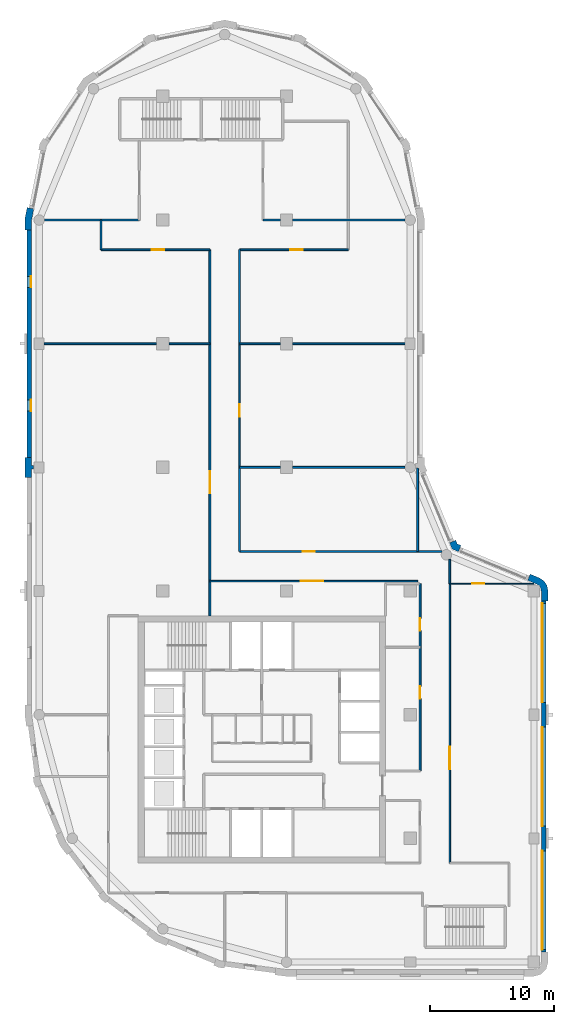
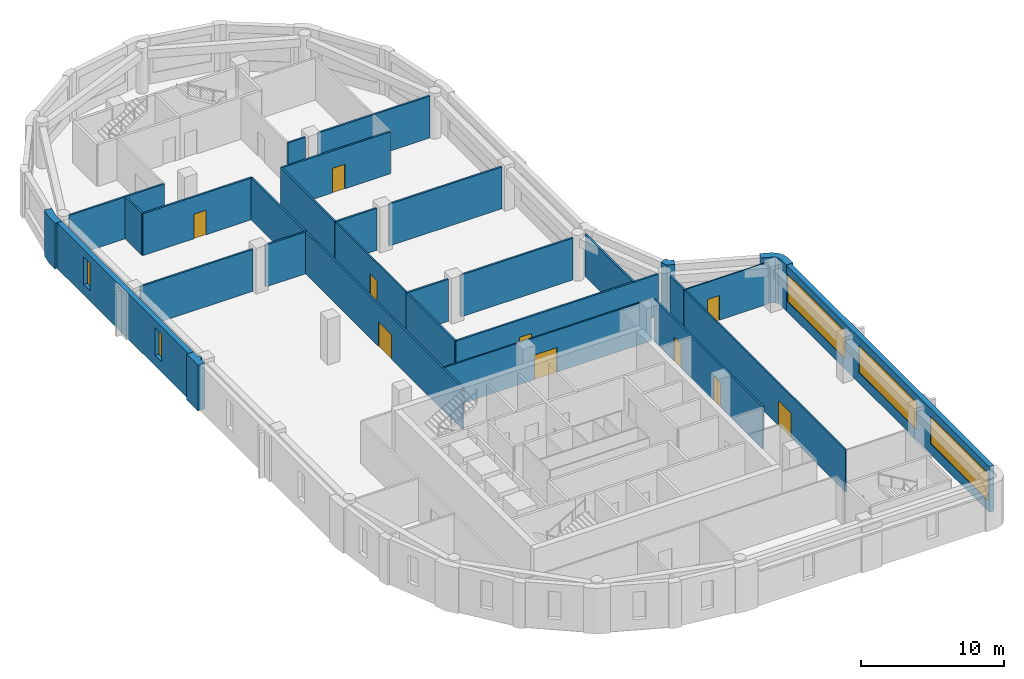
# One storey, part 4 of 8: 29 walls, 10 doors, 5 windows, 15 openings.
"""IFC4 building model written with IfcOpenShell, lengths in metres."""

import ifcopenshell
import ifcopenshell.guid

model = None  # the IFC model being written
_history = None  # IfcOwnerHistory: only IFC2X3 demands one
_inside = {}  # id of a spatial element -> (the spatial element, [elements in it])
_under = {}  # id of a project, library or spatial element -> (it, [spatial elements below it])
_declared = {}  # id of a project -> (the project, [libraries it declares])
_typed = {}  # id of a type object -> (the type object, [elements of that type])
_made_of = {}  # id of a material, layer set ... -> (it, [elements and type objects made of it])


def new_model(schema):
    """Start an empty IFC model of exactly this schema.

    Asked for "IFC4X3", IfcOpenShell would pick the latest addendum, in which some entities
    have other attributes; the version numbers below select the first issue.
    IFC2X3 requires an IfcOwnerHistory on every rooted entity: one is made here for all.
    """
    global model, _history
    if schema == "IFC4X3":
        model = ifcopenshell.file(schema_version=(4, 3, 0, 0))
    else:
        model = ifcopenshell.file(schema=schema)
    _inside.clear()
    _under.clear()
    _declared.clear()
    _typed.clear()
    _made_of.clear()
    _history = None
    if model.schema == "IFC2X3":
        org = make("IfcOrganization", Name="unknown")
        user = make(
            "IfcPersonAndOrganization",
            ThePerson=make("IfcPerson", FamilyName="unknown"),
            TheOrganization=org,
        )
        app = make(
            "IfcApplication",
            ApplicationDeveloper=org,
            Version="unknown",
            ApplicationFullName="unknown",
            ApplicationIdentifier="unknown",
        )
        _history = make(
            "IfcOwnerHistory",
            OwningUser=user,
            OwningApplication=app,
            ChangeAction="ADDED",
            CreationDate=0,
        )
    return model


def make(cls, **values):
    """One entity of the class cls with the attributes given. An attribute that is None is left unset."""
    return model.create_entity(
        cls, **{name: value for name, value in values.items() if value is not None}
    )


def rooted(cls, **values):
    """An entity with a GlobalId (a new one), such as an element, a storey or a relation."""
    return make(cls, GlobalId=ifcopenshell.guid.new(), OwnerHistory=_history, **values)


def si_unit(unit_type, name, prefix=None):
    """IfcSIUnit, for example si_unit("LENGTHUNIT", "METRE", prefix="MILLI")."""
    return make("IfcSIUnit", UnitType=unit_type, Prefix=prefix, Name=name)


def assignment(units):
    """IfcUnitAssignment: the units of a project."""
    return None if units is None else make("IfcUnitAssignment", Units=units)


def point(xyz):
    """IfcCartesianPoint."""
    return None if xyz is None else make("IfcCartesianPoint", Coordinates=xyz)


def direction(xyz):
    """IfcDirection."""
    return None if xyz is None else make("IfcDirection", DirectionRatios=xyz)


def frame(location, z_axis=None, x_axis=None):
    """IfcAxis2Placement3D, a coordinate frame: its origin and axes. An axis left out is left unset."""
    return make(
        "IfcAxis2Placement3D",
        Location=point(location),
        Axis=direction(z_axis),
        RefDirection=direction(x_axis),
    )


def frame_2d(location, x_axis=None):
    """IfcAxis2Placement2D, a coordinate frame in the plane: its origin and x axis."""
    return make(
        "IfcAxis2Placement2D", Location=point(location), RefDirection=direction(x_axis)
    )


def origin():
    """The frame at (0, 0, 0) with its axes left unset."""
    return frame((0.0, 0.0, 0.0))


def place(relative_to, where):
    """IfcLocalPlacement: puts the frame where relative to a parent placement (None: the world)."""
    return make(
        "IfcLocalPlacement", PlacementRelTo=relative_to, RelativePlacement=where
    )


def context(
    kind, dimensions, precision=None, world=None, true_north=None, identifier=None
):
    """IfcGeometricRepresentationContext, for example the 3D "Model" context."""
    return make(
        "IfcGeometricRepresentationContext",
        ContextIdentifier=identifier,
        ContextType=kind,
        CoordinateSpaceDimension=dimensions,
        Precision=precision,
        WorldCoordinateSystem=world,
        TrueNorth=true_north,
    )


def subcontext(parent, identifier, kind, view, scale=None):
    """IfcGeometricRepresentationSubContext, for example "Body" below "Model"."""
    return make(
        "IfcGeometricRepresentationSubContext",
        ContextIdentifier=identifier,
        ContextType=kind,
        ParentContext=parent,
        TargetScale=scale,
        TargetView=view,
    )


def project(units=None, contexts=None):
    """IfcProject with its units and contexts."""
    return rooted(
        "IfcProject",
        Name="project",
        RepresentationContexts=contexts,
        UnitsInContext=assignment(units),
    )


def spatial(cls, under=None, at=None, **own):
    """A site, building, storey or space (cls), placed at a placement, below another one or the project."""
    s = rooted(cls, ObjectPlacement=at, **own)
    if under is not None:
        _under.setdefault(under.id(), (under, []))[1].append(s)
    return s


def polyline(points):
    """IfcPolyline through the points."""
    return make("IfcPolyline", Points=[point(p) for p in points])


def profile(cls, at=None, kind="AREA", **sizes):
    """A parametric profile (cls). Its sizes go by their IFC names, for example OverallWidth=200.0."""
    return make(cls, ProfileType=kind, Position=at, **sizes)


def rectangle(**sizes):
    """IfcRectangleProfileDef."""
    return profile("IfcRectangleProfileDef", **sizes)


def outline(outer, holes=None, kind="AREA"):
    """IfcArbitraryClosedProfileDef: a profile drawn as a closed curve; with holes, ...WithVoids."""
    if holes is None:
        return make("IfcArbitraryClosedProfileDef", ProfileType=kind, OuterCurve=outer)
    return make(
        "IfcArbitraryProfileDefWithVoids",
        ProfileType=kind,
        OuterCurve=outer,
        InnerCurves=holes,
    )


def extrude(swept, where, along, depth):
    """IfcExtrudedAreaSolid: the profile swept, set in the frame where, extruded along a direction by depth."""
    return make(
        "IfcExtrudedAreaSolid",
        SweptArea=swept,
        Position=where,
        ExtrudedDirection=direction(along),
        Depth=depth,
    )


def shape(context_of_items, identifier, shape_type, items):
    """IfcShapeRepresentation: the items that make up one representation, for example the "Body"."""
    return make(
        "IfcShapeRepresentation",
        ContextOfItems=context_of_items,
        RepresentationIdentifier=identifier,
        RepresentationType=shape_type,
        Items=items,
    )


def material(Name=None, Category=None):
    """IfcMaterial."""
    return make("IfcMaterial", Name=Name, Category=Category)


def layer(
    of_material, thickness, ventilated=None, Name=None, Category=None, Priority=None
):
    """IfcMaterialLayer: one layer of a wall or slab, of a material (None: an air gap)."""
    return make(
        "IfcMaterialLayer",
        Material=of_material,
        LayerThickness=thickness,
        IsVentilated=ventilated,
        Name=Name,
        Category=Category,
        Priority=Priority,
    )


def layer_set(layers, Name=None):
    """IfcMaterialLayerSet."""
    return make("IfcMaterialLayerSet", MaterialLayers=layers, LayerSetName=Name)


def made_of(thing, what):
    """Note that an element or type object is made of a material, layer set ...; save() writes the relation."""
    if what is not None:
        _made_of.setdefault(what.id(), (what, []))[1].append(thing)
    return thing


def type_object(cls, material=None, **own):
    """A type object (cls), such as IfcWallType, which elements share."""
    return made_of(rooted(cls, **own), material)


def element(
    cls,
    number,
    at=None,
    inside=None,
    cuts=None,
    type_object=None,
    material=None,
    context=None,
    identifier="Body",
    shape_type=None,
    held_by="IfcProductDefinitionShape",
    body=None,
    shapes=None,
    **own,
):
    """One element of the class cls, such as IfcWall. Its Tag is "e" and its number.

    at: its placement. inside: the storey or other place that contains it. cuts: it is an
    opening in that element (IfcRelVoidsElement). A single representation is given by context,
    identifier, shape_type and body (its items); several are given by shapes. held_by: the class
    of the entity that holds the representations. save() writes the other relations.
    """
    e = rooted(cls, Tag="e%d" % number, ObjectPlacement=at, **own)
    if body is not None:
        shapes = [shape(context, identifier, shape_type, body)]
    if shapes is not None:
        e.Representation = make(held_by, Representations=shapes)
    if inside is not None:
        _inside.setdefault(inside.id(), (inside, []))[1].append(e)
    if cuts is not None:
        rooted(
            "IfcRelVoidsElement", RelatingBuildingElement=cuts, RelatedOpeningElement=e
        )
    if type_object is not None:
        _typed.setdefault(type_object.id(), (type_object, []))[1].append(e)
    return made_of(e, material)


def fill(opening, filler):
    """IfcRelFillsElement: the door or window that sits in an opening."""
    return rooted(
        "IfcRelFillsElement",
        RelatingOpeningElement=opening,
        RelatedBuildingElement=filler,
    )


def aggregate(whole, parts):
    """IfcRelAggregates: a whole, such as a stair, and the parts it consists of."""
    return rooted("IfcRelAggregates", RelatingObject=whole, RelatedObjects=parts)


def save(model, path):
    """Write the relations noted so far, then the file.

    IfcRelAggregates (storeys below a building ...), IfcRelContainedInSpatialStructure (elements
    in a storey), IfcRelDefinesByType, IfcRelAssociatesMaterial and IfcRelDeclares: one each for
    every whole, place, type object, material and project.
    """
    for whole, parts in _under.values():
        aggregate(whole, parts)
    for where, things in _inside.values():
        rooted(
            "IfcRelContainedInSpatialStructure",
            RelatedElements=things,
            RelatingStructure=where,
        )
    for kind, things in _typed.values():
        rooted("IfcRelDefinesByType", RelatedObjects=things, RelatingType=kind)
    for what, things in _made_of.values():
        rooted("IfcRelAssociatesMaterial", RelatedObjects=things, RelatingMaterial=what)
    for by, libraries in _declared.values():
        rooted("IfcRelDeclares", RelatingContext=by, RelatedDefinitions=libraries)
    model.write(path)


model = new_model("IFC4")

# Units and contexts
model_context = context("Model", 3, precision=1e-05, world=origin(), true_north=direction((0.0, 1.0)))
body_context = subcontext(model_context, "Body", "Model", "MODEL_VIEW")
ifc_project = project(units=[si_unit("LENGTHUNIT", "METRE"), si_unit("AREAUNIT", "SQUARE_METRE"), si_unit("VOLUMEUNIT", "CUBIC_METRE"), si_unit("PLANEANGLEUNIT", "RADIAN"), si_unit("MASSUNIT", "GRAM", prefix="KILO")], contexts=[model_context])

# Site, building, storey
site_placement = place(None, origin())
site = spatial("IfcSite", under=ifc_project, at=site_placement, CompositionType="ELEMENT")
building_placement = place(site_placement, origin())
building = spatial("IfcBuilding", under=site, at=building_placement, Name="Qaws Garden Tower", CompositionType="ELEMENT")
storey_placement = place(building_placement, frame((0.0, 0.0, 302.10009765625)))
storey = spatial("IfcBuildingStorey", under=building, at=storey_placement, Name="L73", CompositionType="ELEMENT", Elevation=302.10009765625)

# Wall
ifc_material_1 = material(Name="Clay facing brick masonry", Category="masonry")
ifc_layer_1 = layer(ifc_material_1, 0.550048828125)
ifc_layer_set_1 = layer_set([ifc_layer_1], Name="Clay facing brick masonry")
wall_type_1 = type_object("IfcWallType", Name="Brick corner pier 550 x 2400", PredefinedType="SOLIDWALL", material=ifc_layer_set_1)
placement = place(storey_placement, origin())
element("IfcWall", 1, at=placement, inside=storey, type_object=wall_type_1, Name="E-L73-pier-05", PredefinedType="SOLIDWALL", context=body_context, shape_type="SweptSolid", body=[
    extrude(outline(polyline([(41.0, 29.199951171875), (41.14990234375, 29.199951171875), (41.14990234375, 30.0), (41.0625, 30.440185546875), (40.813232421875, 30.813232421875), (40.440185546875, 31.0625), (39.700927734375, 31.36865234375), (39.6435546875, 31.22998046875), (39.490478515625, 30.860595703125), (40.2294921875, 30.554443359375), (40.42431640625, 30.42431640625), (40.554443359375, 30.2294921875), (40.60009765625, 30.0), (40.60009765625, 29.199951171875), (41.0, 29.199951171875)])), origin(), (0.0, 0.0, 1.0), 3.89990234375),
])

# Wall, openings, windows
ifc_material_2 = material(Name="Clay facing brick masonry", Category="masonry")
ifc_layer_2 = layer(ifc_material_2, 0.39990234375)
ifc_layer_set_2 = layer_set([ifc_layer_2], Name="Clay facing brick masonry")
wall_type_2 = type_object("IfcWallType", Name="Brick infill wall 400", PredefinedType="SOLIDWALL", material=ifc_layer_set_2)
wall_2_placement = place(storey_placement, frame((40.800048828125, 0.800048828125, 0.0), z_axis=(0.0, 0.0, 1.0), x_axis=(0.0, 1.0, 0.0)))
wall_2 = element("IfcWall", 2, at=wall_2_placement, inside=storey, type_object=wall_type_2, Name="E-L73-infill-02", PredefinedType="SOLIDWALL", context=body_context, shape_type="SweptSolid", body=[
    extrude(rectangle(XDim=28.39990234375, YDim=0.39990234375, at=frame_2d((14.199951171875, 0.0))), origin(), (0.0, 0.0, 1.0), 3.89990234375),
])
opening_1_placement = place(wall_2_placement, frame((0.199951171875, 0.0, 0.89990234375)))
opening_1 = element("IfcOpeningElement", 3, at=opening_1_placement, cuts=wall_2, Name="Opening W01", PredefinedType="OPENING", context=body_context, shape_type="SweptSolid", body=[
    extrude(rectangle(XDim=8.0, YDim=2.35009765625, at=frame_2d((4.0, 1.175048828125))), frame((0.0, 0.2099609375, 0.0), z_axis=(0.0, -1.0, 0.0), x_axis=(1.0, 0.0, 0.0)), (0.0, 0.0, 1.0), 0.419921875),
])
opening_2_placement = place(wall_2_placement, frame((10.199951171875, 0.0, 0.89990234375)))
opening_2 = element("IfcOpeningElement", 4, at=opening_2_placement, cuts=wall_2, Name="Opening W01", PredefinedType="OPENING", context=body_context, shape_type="SweptSolid", body=[
    extrude(rectangle(XDim=8.0, YDim=2.35009765625, at=frame_2d((4.0, 1.175048828125))), frame((0.0, 0.2099609375, 0.0), z_axis=(0.0, -1.0, 0.0), x_axis=(1.0, 0.0, 0.0)), (0.0, 0.0, 1.0), 0.419921875),
])
opening_3_placement = place(wall_2_placement, frame((20.199951171875, 0.0, 0.89990234375)))
opening_3 = element("IfcOpeningElement", 5, at=opening_3_placement, cuts=wall_2, Name="Opening W01", PredefinedType="OPENING", context=body_context, shape_type="SweptSolid", body=[
    extrude(rectangle(XDim=8.0, YDim=2.35009765625, at=frame_2d((4.0, 1.175048828125))), frame((0.0, 0.2099609375, 0.0), z_axis=(0.0, -1.0, 0.0), x_axis=(1.0, 0.0, 0.0)), (0.0, 0.0, 1.0), 0.419921875),
])
ifc_material_3 = material(Name="Aluminium framed window, clear glazing", Category="aluminium")
window_type_1 = type_object("IfcWindowType", Name="Ribbon window 8000 x 2350", PartitioningType="DOUBLE_PANEL_VERTICAL", PredefinedType="WINDOW", material=ifc_material_3)
window_1_placement = place(opening_1_placement, origin())
window_1 = element("IfcWindow", 6, at=window_1_placement, inside=storey, type_object=window_type_1, Name="E-L73-window-02-0", OverallHeight=2.35009765625, OverallWidth=8.0, PartitioningType="SINGLE_PANEL", PredefinedType="WINDOW", context=body_context, shape_type="SweptSolid", body=[
    extrude(rectangle(XDim=8.0, YDim=2.35009765625, at=frame_2d((4.0, 1.175048828125))), frame((0.0, 0.159912109375, 0.0), z_axis=(0.0, -1.0, 0.0), x_axis=(1.0, 0.0, 0.0)), (0.0, 0.0, 1.0), 0.06005859375),
])
fill(opening_1, window_1)
window_2_placement = place(opening_2_placement, origin())
window_2 = element("IfcWindow", 7, at=window_2_placement, inside=storey, type_object=window_type_1, Name="E-L73-window-03-0", OverallHeight=2.35009765625, OverallWidth=8.0, PartitioningType="SINGLE_PANEL", PredefinedType="WINDOW", context=body_context, shape_type="SweptSolid", body=[
    extrude(rectangle(XDim=8.0, YDim=2.35009765625, at=frame_2d((4.0, 1.175048828125))), frame((0.0, 0.159912109375, 0.0), z_axis=(0.0, -1.0, 0.0), x_axis=(1.0, 0.0, 0.0)), (0.0, 0.0, 1.0), 0.06005859375),
])
fill(opening_2, window_2)
window_3_placement = place(opening_3_placement, origin())
window_3 = element("IfcWindow", 8, at=window_3_placement, inside=storey, type_object=window_type_1, Name="E-L73-window-04-0", OverallHeight=2.35009765625, OverallWidth=8.0, PartitioningType="SINGLE_PANEL", PredefinedType="WINDOW", context=body_context, shape_type="SweptSolid", body=[
    extrude(rectangle(XDim=8.0, YDim=2.35009765625, at=frame_2d((4.0, 1.175048828125))), frame((0.0, 0.159912109375, 0.0), z_axis=(0.0, -1.0, 0.0), x_axis=(1.0, 0.0, 0.0)), (0.0, 0.0, 1.0), 0.06005859375),
])
fill(opening_3, window_3)

wall_3_placement = place(storey_placement, frame((-0.800048828125, 59.199951171875, 0.0), z_axis=(0.0, 0.0, 1.0), x_axis=(0.0, -1.0, 0.0)))
wall_3 = element("IfcWall", 9, at=wall_3_placement, inside=storey, type_object=wall_type_2, Name="E-L73-infill-17", PredefinedType="SOLIDWALL", context=body_context, shape_type="SweptSolid", body=[
    extrude(rectangle(XDim=18.39990234375, YDim=0.39990234375, at=frame_2d((9.199951171875, 0.0))), origin(), (0.0, 0.0, 1.0), 3.89990234375),
])
opening_4_placement = place(wall_3_placement, frame((3.75, 0.0, 0.89990234375)))
opening_4 = element("IfcOpeningElement", 10, at=opening_4_placement, cuts=wall_3, Name="Opening W09", PredefinedType="OPENING", context=body_context, shape_type="SweptSolid", body=[
    extrude(rectangle(XDim=0.89990234375, YDim=2.35009765625, at=frame_2d((0.449951171875, 1.175048828125))), frame((0.0, 0.2099609375, 0.0), z_axis=(0.0, -1.0, 0.0), x_axis=(1.0, 0.0, 0.0)), (0.0, 0.0, 1.0), 0.419921875),
])
opening_5_placement = place(wall_3_placement, frame((13.75, 0.0, 0.89990234375)))
opening_5 = element("IfcOpeningElement", 11, at=opening_5_placement, cuts=wall_3, Name="Opening W09", PredefinedType="OPENING", context=body_context, shape_type="SweptSolid", body=[
    extrude(rectangle(XDim=0.89990234375, YDim=2.35009765625, at=frame_2d((0.449951171875, 1.175048828125))), frame((0.0, 0.2099609375, 0.0), z_axis=(0.0, -1.0, 0.0), x_axis=(1.0, 0.0, 0.0)), (0.0, 0.0, 1.0), 0.419921875),
])
ifc_material_4 = material(Name="Aluminium framed window, clear glazing", Category="aluminium")
window_type_2 = type_object("IfcWindowType", Name="Slit window 900 x 2350", PartitioningType="SINGLE_PANEL", PredefinedType="WINDOW", material=ifc_material_4)
window_4_placement = place(opening_4_placement, origin())
window_4 = element("IfcWindow", 12, at=window_4_placement, inside=storey, type_object=window_type_2, Name="E-L73-window-17-0", OverallHeight=2.35009765625, OverallWidth=0.89990234375, PartitioningType="SINGLE_PANEL", PredefinedType="WINDOW", context=body_context, shape_type="SweptSolid", body=[
    extrude(rectangle(XDim=0.89990234375, YDim=2.35009765625, at=frame_2d((0.449951171875, 1.175048828125))), frame((0.0, 0.159912109375, 0.0), z_axis=(0.0, -1.0, 0.0), x_axis=(1.0, 0.0, 0.0)), (0.0, 0.0, 1.0), 0.06005859375),
])
fill(opening_4, window_4)
window_5_placement = place(opening_5_placement, origin())
window_5 = element("IfcWindow", 13, at=window_5_placement, inside=storey, type_object=window_type_2, Name="E-L73-window-18-0", OverallHeight=2.35009765625, OverallWidth=0.89990234375, PartitioningType="SINGLE_PANEL", PredefinedType="WINDOW", context=body_context, shape_type="SweptSolid", body=[
    extrude(rectangle(XDim=0.89990234375, YDim=2.35009765625, at=frame_2d((0.449951171875, 1.175048828125))), frame((0.0, 0.159912109375, 0.0), z_axis=(0.0, -1.0, 0.0), x_axis=(1.0, 0.0, 0.0)), (0.0, 0.0, 1.0), 0.06005859375),
])
fill(opening_5, window_5)

# Walls
ifc_material_5 = material(Name="Clay facing brick masonry", Category="masonry")
ifc_layer_3 = layer(ifc_material_5, 0.550048828125)
ifc_layer_set_3 = layer_set([ifc_layer_3], Name="Clay facing brick masonry")
wall_type_3 = type_object("IfcWallType", Name="Brick pier 550 x 1600", PredefinedType="SOLIDWALL", material=ifc_layer_set_3)
element("IfcWall", 14, at=placement, inside=storey, type_object=wall_type_3, Name="E-L73-pier-06", PredefinedType="SOLIDWALL", context=body_context, shape_type="SweptSolid", body=[
    extrude(outline(polyline([(34.05078125, 33.546630859375), (34.108154296875, 33.685302734375), (33.80908203125, 33.80908203125), (33.685302734375, 34.108154296875), (33.546630859375, 34.05078125), (33.177001953125, 33.897705078125), (33.38818359375, 33.38818359375), (33.897705078125, 33.177001953125), (34.05078125, 33.546630859375)])), origin(), (0.0, 0.0, 1.0), 3.89990234375),
])
element("IfcWall", 15, at=placement, inside=storey, type_object=wall_type_3, Name="E-L73-pier-17", PredefinedType="SOLIDWALL", context=body_context, shape_type="SweptSolid", body=[
    extrude(outline(polyline([(-0.82470703125, 60.979736328125), (-0.971923828125, 61.009033203125), (-1.14990234375, 60.11328125), (-1.14990234375, 59.199951171875), (-1.0, 59.199951171875), (-0.60009765625, 59.199951171875), (-0.60009765625, 60.05908203125), (-0.432373046875, 60.901611328125), (-0.82470703125, 60.979736328125)])), origin(), (0.0, 0.0, 1.0), 3.89990234375),
])
element("IfcWall", 16, at=placement, inside=storey, type_object=wall_type_3, Name="E-L73-pier-19", PredefinedType="SOLIDWALL", context=body_context, shape_type="SweptSolid", body=[
    extrude(outline(polyline([(-0.60009765625, 39.199951171875), (-0.60009765625, 39.85009765625), (-0.449951171875, 39.85009765625), (-0.449951171875, 40.14990234375), (-0.60009765625, 40.14990234375), (-0.60009765625, 40.800048828125), (-1.0, 40.800048828125), (-1.14990234375, 40.800048828125), (-1.14990234375, 40.0), (-1.14990234375, 39.199951171875), (-1.0, 39.199951171875), (-0.60009765625, 39.199951171875)])), origin(), (0.0, 0.0, 1.0), 3.89990234375),
])

# Wall, opening, door
ifc_material_6 = material(Name="Glass and aluminium framing", Category="aluminium")
ifc_layer_4 = layer(ifc_material_6, 0.1201171875)
ifc_layer_set_4 = layer_set([ifc_layer_4], Name="Glass and aluminium framing")
wall_type_4 = type_object("IfcWallType", Name="GLAZED PARTITION 120 EI 30", PredefinedType="PARTITIONING", material=ifc_layer_set_4)
wall_7_placement = place(storey_placement, frame((16.199951171875, 40.0, 0.0), z_axis=(0.0, 0.0, 1.0), x_axis=(0.0, 1.0, 0.0)))
wall_7 = element("IfcWall", 17, at=wall_7_placement, inside=storey, type_object=wall_type_4, Name="O-L73-wall-036", PredefinedType="PARTITIONING", context=body_context, shape_type="SweptSolid", body=[
    extrude(rectangle(XDim=10.0, YDim=0.1201171875, at=frame_2d((5.0, 0.0))), origin(), (0.0, 0.0, 1.0), 3.579833984375),
])
opening_6_placement = place(wall_7_placement, frame((4.10009765625, 0.0, 0.0)))
opening_6 = element("IfcOpeningElement", 18, at=opening_6_placement, cuts=wall_7, Name="Opening C604", PredefinedType="OPENING", context=body_context, shape_type="SweptSolid", body=[
    extrude(rectangle(XDim=1.0, YDim=2.10009765625, at=frame_2d((0.5, 1.050048828125))), frame((0.0, 0.070068359375, 0.0), z_axis=(0.0, -1.0, 0.0), x_axis=(1.0, 0.0, 0.0)), (0.0, 0.0, 1.0), 0.14013671875),
])
ifc_material_7 = material(Name="Timber door leaf", Category="wood")
door_type_1 = type_object("IfcDoorType", Name="TENANCY ENTRANCE DOOR 1000 X 2100", OperationType="SINGLE_SWING_LEFT", PredefinedType="DOOR", material=ifc_material_7)
door_1_placement = place(opening_6_placement, frame((1.0, 0.0, 0.0), z_axis=(0.0, 0.0, 1.0), x_axis=(-1.0, 0.0, 0.0)))
door_1 = element("IfcDoor", 19, at=door_1_placement, inside=storey, type_object=door_type_1, Name="O-L73-door-004", OperationType="SINGLE_SWING_RIGHT", OverallHeight=2.10009765625, OverallWidth=1.0, PredefinedType="DOOR", context=body_context, shape_type="SweptSolid", body=[
    extrude(rectangle(XDim=1.0, YDim=2.10009765625, at=frame_2d((0.5, 1.050048828125))), frame((0.0, 0.02490234375, 0.0), z_axis=(0.0, -1.0, 0.0), x_axis=(1.0, 0.0, 0.0)), (0.0, 0.0, 1.0), 0.050048828125),
])
fill(opening_6, door_1)

wall_8_placement = place(storey_placement, frame((33.199951171875, 8.0, 0.0), z_axis=(0.0, 0.0, 1.0), x_axis=(0.0, 1.0, 0.0)))
wall_8 = element("IfcWall", 20, at=wall_8_placement, inside=storey, type_object=wall_type_4, Name="O-L73-wall-039", PredefinedType="PARTITIONING", context=body_context, shape_type="SweptSolid", body=[
    extrude(rectangle(XDim=22.60009765625, YDim=0.1201171875, at=frame_2d((11.300048828125, 0.0))), origin(), (0.0, 0.0, 1.0), 3.579833984375),
])
opening_7_placement = place(wall_8_placement, frame((7.60009765625, 0.0, 0.0)))
opening_7 = element("IfcOpeningElement", 21, at=opening_7_placement, cuts=wall_8, Name="Opening C613", PredefinedType="OPENING", context=body_context, shape_type="SweptSolid", body=[
    extrude(rectangle(XDim=1.800048828125, YDim=2.10009765625, at=frame_2d((0.89990234375, 1.050048828125))), frame((0.0, 0.070068359375, 0.0), z_axis=(0.0, -1.0, 0.0), x_axis=(1.0, 0.0, 0.0)), (0.0, 0.0, 1.0), 0.14013671875),
])
ifc_material_8 = material(Name="Timber door leaf", Category="wood")
door_type_2 = type_object("IfcDoorType", Name="DOUBLE DOOR 1800 X 2100", OperationType="DOUBLE_DOOR_SINGLE_SWING", PredefinedType="DOOR", material=ifc_material_8)
door_2_placement = place(opening_7_placement, frame((1.800048828125, 0.0, 0.0), z_axis=(0.0, 0.0, 1.0), x_axis=(-1.0, 0.0, 0.0)))
door_2 = element("IfcDoor", 22, at=door_2_placement, inside=storey, type_object=door_type_2, Name="O-L73-door-013", OperationType="DOUBLE_DOOR_SINGLE_SWING", OverallHeight=2.10009765625, OverallWidth=1.800048828125, PredefinedType="DOOR", context=body_context, shape_type="SweptSolid", body=[
    extrude(rectangle(XDim=1.800048828125, YDim=2.10009765625, at=frame_2d((0.89990234375, 1.050048828125))), frame((0.0, 0.02490234375, 0.0), z_axis=(0.0, -1.0, 0.0), x_axis=(1.0, 0.0, 0.0)), (0.0, 0.0, 1.0), 0.050048828125),
])
fill(opening_7, door_2)

wall_9_placement = place(storey_placement, frame((13.802001953125, 30.800048828125, 0.0), z_axis=(0.0, 0.0, 1.0), x_axis=(1.0, 0.0, 0.0)))
wall_9 = element("IfcWall", 23, at=wall_9_placement, inside=storey, type_object=wall_type_4, Name="O-L73-wall-046", PredefinedType="PARTITIONING", context=body_context, shape_type="SweptSolid", body=[
    extrude(rectangle(XDim=16.798095703125, YDim=0.1201171875, at=frame_2d((8.39892578125, 0.0))), origin(), (0.0, 0.0, 1.0), 3.579833984375),
])
opening_8_placement = place(wall_9_placement, frame((7.35009765625, 0.0, 0.0)))
opening_8 = element("IfcOpeningElement", 24, at=opening_8_placement, cuts=wall_9, Name="Opening C608", PredefinedType="OPENING", context=body_context, shape_type="SweptSolid", body=[
    extrude(rectangle(XDim=1.800048828125, YDim=2.10009765625, at=frame_2d((0.89990234375, 1.050048828125))), frame((0.0, 0.070068359375, 0.0), z_axis=(0.0, -1.0, 0.0), x_axis=(1.0, 0.0, 0.0)), (0.0, 0.0, 1.0), 0.14013671875),
])
door_3_placement = place(opening_8_placement, frame((1.800048828125, 0.0, 0.0), z_axis=(0.0, 0.0, 1.0), x_axis=(-1.0, 0.0, 0.0)))
door_3 = element("IfcDoor", 25, at=door_3_placement, inside=storey, type_object=door_type_2, Name="O-L73-door-008", OperationType="DOUBLE_DOOR_SINGLE_SWING", OverallHeight=2.10009765625, OverallWidth=1.800048828125, PredefinedType="DOOR", context=body_context, shape_type="SweptSolid", body=[
    extrude(rectangle(XDim=1.800048828125, YDim=2.10009765625, at=frame_2d((0.89990234375, 1.050048828125))), frame((0.0, 0.02490234375, 0.0), z_axis=(0.0, -1.0, 0.0), x_axis=(1.0, 0.0, 0.0)), (0.0, 0.0, 1.0), 0.050048828125),
])
fill(opening_8, door_3)

ifc_material_9 = material(Name="Gypsum board partition")
ifc_layer_5 = layer(ifc_material_9, 0.10009765625)
ifc_layer_set_5 = layer_set([ifc_layer_5], Name="Gypsum board partition")
wall_type_5 = type_object("IfcWallType", Name="PARTITION 100", PredefinedType="PARTITIONING", material=ifc_layer_set_5)
wall_10_placement = place(storey_placement, frame((33.199951171875, 30.60009765625, 0.0), z_axis=(0.0, 0.0, 1.0), x_axis=(1.0, 0.0, 0.0)))
wall_10 = element("IfcWall", 26, at=wall_10_placement, inside=storey, type_object=wall_type_5, Name="O-L73-wall-001", PredefinedType="PARTITIONING", context=body_context, shape_type="SweptSolid", body=[
    extrude(rectangle(XDim=6.798583984375, YDim=0.10009765625, at=frame_2d((3.3994140625, 0.0))), origin(), (0.0, 0.0, 1.0), 3.579833984375),
])
opening_9_placement = place(wall_10_placement, frame((1.824951171875, 0.0, 0.0)))
opening_9 = element("IfcOpeningElement", 27, at=opening_9_placement, cuts=wall_10, Name="Opening C617", PredefinedType="OPENING", context=body_context, shape_type="SweptSolid", body=[
    extrude(rectangle(XDim=0.949951171875, YDim=2.10009765625, at=frame_2d((0.47509765625, 1.050048828125))), frame((0.0, 0.06005859375, 0.0), z_axis=(0.0, -1.0, 0.0), x_axis=(1.0, 0.0, 0.0)), (0.0, 0.0, 1.0), 0.1201171875),
])
ifc_material_10 = material(Name="Timber and glass door leaf", Category="wood")
door_type_3 = type_object("IfcDoorType", Name="GLAZED DOOR 950 X 2100", OperationType="SINGLE_SWING_LEFT", PredefinedType="DOOR", material=ifc_material_10)
door_4_placement = place(opening_9_placement, origin())
door_4 = element("IfcDoor", 28, at=door_4_placement, inside=storey, type_object=door_type_3, Name="O-L73-door-017", OperationType="SINGLE_SWING_LEFT", OverallHeight=2.10009765625, OverallWidth=0.949951171875, PredefinedType="DOOR", context=body_context, shape_type="SweptSolid", body=[
    extrude(rectangle(XDim=0.949951171875, YDim=2.10009765625, at=frame_2d((0.47509765625, 1.050048828125))), frame((0.0, 0.02490234375, 0.0), z_axis=(0.0, -1.0, 0.0), x_axis=(1.0, 0.0, 0.0)), (0.0, 0.0, 1.0), 0.050048828125),
])
fill(opening_9, door_4)

# Wall
ifc_material_11 = material(Name="Gypsum board partition")
ifc_layer_6 = layer(ifc_material_11, 0.14990234375)
ifc_layer_set_6 = layer_set([ifc_layer_6], Name="Gypsum board partition")
wall_type_6 = type_object("IfcWallType", Name="PARTITION 150 EI 60", PredefinedType="PARTITIONING", material=ifc_layer_set_6)
wall_11_placement = place(storey_placement, frame((5.0, 57.60009765625, 0.0), z_axis=(0.0, 0.0, 1.0), x_axis=(0.0, 1.0, 0.0)))
element("IfcWall", 29, at=wall_11_placement, inside=storey, type_object=wall_type_6, Name="O-L73-wall-002", PredefinedType="PARTITIONING", context=body_context, shape_type="SweptSolid", body=[
    extrude(rectangle(XDim=2.39990234375, YDim=0.14990234375, at=frame_2d((1.199951171875, 0.0))), origin(), (0.0, 0.0, 1.0), 3.579833984375),
])

# Wall, opening, door
wall_12_placement = place(storey_placement, frame((13.800048828125, 28.0, 0.0), z_axis=(0.0, 0.0, 1.0), x_axis=(0.0, 1.0, 0.0)))
wall_12 = element("IfcWall", 30, at=wall_12_placement, inside=storey, type_object=wall_type_6, Name="O-L73-wall-005", PredefinedType="PARTITIONING", context=body_context, shape_type="SweptSolid", body=[
    extrude(rectangle(XDim=29.60009765625, YDim=0.14990234375, at=frame_2d((14.800048828125, 0.0))), origin(), (0.0, 0.0, 1.0), 3.579833984375),
])
opening_10_placement = place(wall_12_placement, frame((9.90087890625, 0.0, 0.0)))
opening_10 = element("IfcOpeningElement", 31, at=opening_10_placement, cuts=wall_12, Name="Opening C615", PredefinedType="OPENING", context=body_context, shape_type="SweptSolid", body=[
    extrude(rectangle(XDim=1.800048828125, YDim=2.10009765625, at=frame_2d((0.89990234375, 1.050048828125))), frame((0.0, 0.0849609375, 0.0), z_axis=(0.0, -1.0, 0.0), x_axis=(1.0, 0.0, 0.0)), (0.0, 0.0, 1.0), 0.169921875),
])
door_5_placement = place(opening_10_placement, origin())
door_5 = element("IfcDoor", 32, at=door_5_placement, inside=storey, type_object=door_type_2, Name="O-L73-door-015", OperationType="DOUBLE_DOOR_SINGLE_SWING", OverallHeight=2.10009765625, OverallWidth=1.800048828125, PredefinedType="DOOR", context=body_context, shape_type="SweptSolid", body=[
    extrude(rectangle(XDim=1.800048828125, YDim=2.10009765625, at=frame_2d((0.89990234375, 1.050048828125))), frame((0.0, 0.02490234375, 0.0), z_axis=(0.0, -1.0, 0.0), x_axis=(1.0, 0.0, 0.0)), (0.0, 0.0, 1.0), 0.050048828125),
])
fill(opening_10, door_5)

# Walls
wall_13_placement = place(storey_placement, frame((16.199951171875, 33.199951171875, 0.0), z_axis=(0.0, 0.0, 1.0), x_axis=(0.0, 1.0, 0.0)))
element("IfcWall", 33, at=wall_13_placement, inside=storey, type_object=wall_type_6, Name="O-L73-wall-007", PredefinedType="PARTITIONING", context=body_context, shape_type="SweptSolid", body=[
    extrude(rectangle(XDim=6.800048828125, YDim=0.14990234375, at=frame_2d((3.39990234375, 0.0))), origin(), (0.0, 0.0, 1.0), 3.579833984375),
])
wall_14_placement = place(storey_placement, frame((16.199951171875, 50.0, 0.0), z_axis=(0.0, 0.0, 1.0), x_axis=(0.0, 1.0, 0.0)))
element("IfcWall", 34, at=wall_14_placement, inside=storey, type_object=wall_type_6, Name="O-L73-wall-008", PredefinedType="PARTITIONING", context=body_context, shape_type="SweptSolid", body=[
    extrude(rectangle(XDim=7.60009765625, YDim=0.14990234375, at=frame_2d((3.800048828125, 0.0))), origin(), (0.0, 0.0, 1.0), 3.579833984375),
])
wall_15_placement = place(storey_placement, frame((30.60009765625, 33.199951171875, 0.0), z_axis=(0.0, 0.0, 1.0), x_axis=(0.0, 1.0, 0.0)))
element("IfcWall", 35, at=wall_15_placement, inside=storey, type_object=wall_type_6, Name="O-L73-wall-013", PredefinedType="PARTITIONING", context=body_context, shape_type="SweptSolid", body=[
    extrude(rectangle(XDim=6.73828125, YDim=0.14990234375, at=frame_2d((3.369140625, 0.0))), origin(), (0.0, 0.0, 1.0), 3.579833984375),
])

# Wall, openings, doors
wall_16_placement = place(storey_placement, frame((30.800048828125, 15.449951171875, 0.0), z_axis=(0.0, 0.0, 1.0), x_axis=(0.0, 1.0, 0.0)))
wall_16 = element("IfcWall", 36, at=wall_16_placement, inside=storey, type_object=wall_type_6, Name="O-L73-wall-014", PredefinedType="PARTITIONING", context=body_context, shape_type="SweptSolid", body=[
    extrude(rectangle(XDim=15.150146484375, YDim=0.14990234375, at=frame_2d((7.5751953125, 0.0))), origin(), (0.0, 0.0, 1.0), 3.579833984375),
])
opening_11_placement = place(wall_16_placement, frame((5.85009765625, 0.0, 0.0)))
opening_11 = element("IfcOpeningElement", 37, at=opening_11_placement, cuts=wall_16, Name="Opening C611", PredefinedType="OPENING", context=body_context, shape_type="SweptSolid", body=[
    extrude(rectangle(XDim=1.0, YDim=2.10009765625, at=frame_2d((0.5, 1.050048828125))), frame((0.0, 0.0849609375, 0.0), z_axis=(0.0, -1.0, 0.0), x_axis=(1.0, 0.0, 0.0)), (0.0, 0.0, 1.0), 0.169921875),
])
opening_12_placement = place(wall_16_placement, frame((11.35009765625, 0.0, 0.0)))
opening_12 = element("IfcOpeningElement", 38, at=opening_12_placement, cuts=wall_16, Name="Opening C612", PredefinedType="OPENING", context=body_context, shape_type="SweptSolid", body=[
    extrude(rectangle(XDim=1.0, YDim=2.10009765625, at=frame_2d((0.5, 1.050048828125))), frame((0.0, 0.0849609375, 0.0), z_axis=(0.0, -1.0, 0.0), x_axis=(1.0, 0.0, 0.0)), (0.0, 0.0, 1.0), 0.169921875),
])
door_6_placement = place(opening_11_placement, origin())
door_6 = element("IfcDoor", 39, at=door_6_placement, inside=storey, type_object=door_type_1, Name="O-L73-door-011", OperationType="SINGLE_SWING_RIGHT", OverallHeight=2.10009765625, OverallWidth=1.0, PredefinedType="DOOR", context=body_context, shape_type="SweptSolid", body=[
    extrude(rectangle(XDim=1.0, YDim=2.10009765625, at=frame_2d((0.5, 1.050048828125))), frame((0.0, 0.02490234375, 0.0), z_axis=(0.0, -1.0, 0.0), x_axis=(1.0, 0.0, 0.0)), (0.0, 0.0, 1.0), 0.050048828125),
])
fill(opening_11, door_6)
door_7_placement = place(opening_12_placement, origin())
door_7 = element("IfcDoor", 40, at=door_7_placement, inside=storey, type_object=door_type_1, Name="O-L73-door-012", OperationType="SINGLE_SWING_LEFT", OverallHeight=2.10009765625, OverallWidth=1.0, PredefinedType="DOOR", context=body_context, shape_type="SweptSolid", body=[
    extrude(rectangle(XDim=1.0, YDim=2.10009765625, at=frame_2d((0.5, 1.050048828125))), frame((0.0, 0.02490234375, 0.0), z_axis=(0.0, -1.0, 0.0), x_axis=(1.0, 0.0, 0.0)), (0.0, 0.0, 1.0), 0.050048828125),
])
fill(opening_12, door_7)

# Wall
wall_17_placement = place(storey_placement, frame((33.199951171875, 30.60009765625, 0.0), z_axis=(0.0, 0.0, 1.0), x_axis=(0.0, 1.0, 0.0)))
element("IfcWall", 41, at=wall_17_placement, inside=storey, type_object=wall_type_6, Name="O-L73-wall-015", PredefinedType="PARTITIONING", context=body_context, shape_type="SweptSolid", body=[
    extrude(rectangle(XDim=1.951904296875, YDim=0.14990234375, at=frame_2d((0.97607421875, 0.0))), origin(), (0.0, 0.0, 1.0), 3.579833984375),
])

# Wall, opening, door
wall_18_placement = place(storey_placement, frame((16.199951171875, 33.199951171875, 0.0), z_axis=(0.0, 0.0, 1.0), x_axis=(1.0, 0.0, 0.0)))
wall_18 = element("IfcWall", 42, at=wall_18_placement, inside=storey, type_object=wall_type_6, Name="O-L73-wall-023", PredefinedType="PARTITIONING", context=body_context, shape_type="SweptSolid", body=[
    extrude(rectangle(XDim=16.35205078125, YDim=0.14990234375, at=frame_2d((8.176025390625, 0.0))), origin(), (0.0, 0.0, 1.0), 3.579833984375),
])
opening_13_placement = place(wall_18_placement, frame((5.10009765625, 0.0, 0.0)))
opening_13 = element("IfcOpeningElement", 43, at=opening_13_placement, cuts=wall_18, Name="Opening C603", PredefinedType="OPENING", context=body_context, shape_type="SweptSolid", body=[
    extrude(rectangle(XDim=1.0, YDim=2.10009765625, at=frame_2d((0.5, 1.050048828125))), frame((0.0, 0.0849609375, 0.0), z_axis=(0.0, -1.0, 0.0), x_axis=(1.0, 0.0, 0.0)), (0.0, 0.0, 1.0), 0.169921875),
])
door_8_placement = place(opening_13_placement, origin())
door_8 = element("IfcDoor", 44, at=door_8_placement, inside=storey, type_object=door_type_1, Name="O-L73-door-003", OperationType="SINGLE_SWING_RIGHT", OverallHeight=2.10009765625, OverallWidth=1.0, PredefinedType="DOOR", context=body_context, shape_type="SweptSolid", body=[
    extrude(rectangle(XDim=1.0, YDim=2.10009765625, at=frame_2d((0.5, 1.050048828125))), frame((0.0, 0.02490234375, 0.0), z_axis=(0.0, -1.0, 0.0), x_axis=(1.0, 0.0, 0.0)), (0.0, 0.0, 1.0), 0.050048828125),
])
fill(opening_13, door_8)

# Walls
wall_19_placement = place(storey_placement, frame((16.199951171875, 40.0, 0.0), z_axis=(0.0, 0.0, 1.0), x_axis=(1.0, 0.0, 0.0)))
element("IfcWall", 45, at=wall_19_placement, inside=storey, type_object=wall_type_6, Name="O-L73-wall-024", PredefinedType="PARTITIONING", context=body_context, shape_type="SweptSolid", body=[
    extrude(rectangle(XDim=3.300048828125, YDim=0.14990234375, at=frame_2d((1.64990234375, 0.0))), origin(), (0.0, 0.0, 1.0), 3.579833984375),
])
wall_20_placement = place(storey_placement, frame((20.5, 40.0, 0.0), z_axis=(0.0, 0.0, 1.0), x_axis=(1.0, 0.0, 0.0)))
element("IfcWall", 46, at=wall_20_placement, inside=storey, type_object=wall_type_6, Name="O-L73-wall-025", PredefinedType="PARTITIONING", context=body_context, shape_type="SweptSolid", body=[
    extrude(rectangle(XDim=9.074951171875, YDim=0.14990234375, at=frame_2d((4.53759765625, 0.0))), origin(), (0.0, 0.0, 1.0), 3.579833984375),
])
wall_21_placement = place(storey_placement, frame((0.39990234375, 50.0, 0.0), z_axis=(0.0, 0.0, 1.0), x_axis=(1.0, 0.0, 0.0)))
element("IfcWall", 47, at=wall_21_placement, inside=storey, type_object=wall_type_6, Name="O-L73-wall-026", PredefinedType="PARTITIONING", context=body_context, shape_type="SweptSolid", body=[
    extrude(rectangle(XDim=9.10009765625, YDim=0.14990234375, at=frame_2d((4.550048828125, 0.0))), origin(), (0.0, 0.0, 1.0), 3.579833984375),
])
for number, where, z_axis, x_axis, name in (
    (48, (10.5, 50.0, 0.0), (0.0, 0.0, 1.0), (1.0, 0.0, 0.0), "O-L73-wall-027"),
    (49, (16.199951171875, 50.0, 0.0), (0.0, 0.0, 1.0), (1.0, 0.0, 0.0), "O-L73-wall-028"),
):
    element("IfcWall", number, at=place(storey_placement, frame(where, z_axis=z_axis, x_axis=x_axis)), inside=storey, type_object=wall_type_6, Name=name, PredefinedType="PARTITIONING", context=body_context, shape_type="SweptSolid", body=[
        extrude(rectangle(XDim=3.300048828125, YDim=0.14990234375, at=frame_2d((1.64990234375, 0.0))), origin(), (0.0, 0.0, 1.0), 3.579833984375),
    ])
wall_22_placement = place(storey_placement, frame((20.5, 50.0, 0.0), z_axis=(0.0, 0.0, 1.0), x_axis=(1.0, 0.0, 0.0)))
element("IfcWall", 50, at=wall_22_placement, inside=storey, type_object=wall_type_6, Name="O-L73-wall-029", PredefinedType="PARTITIONING", context=body_context, shape_type="SweptSolid", body=[
    extrude(rectangle(XDim=9.10009765625, YDim=0.14990234375, at=frame_2d((4.550048828125, 0.0))), origin(), (0.0, 0.0, 1.0), 3.579833984375),
])

# Wall, opening, door
wall_23_placement = place(storey_placement, frame((5.0, 57.60009765625, 0.0), z_axis=(0.0, 0.0, 1.0), x_axis=(1.0, 0.0, 0.0)))
wall_23 = element("IfcWall", 51, at=wall_23_placement, inside=storey, type_object=wall_type_6, Name="O-L73-wall-030", PredefinedType="PARTITIONING", context=body_context, shape_type="SweptSolid", body=[
    extrude(rectangle(XDim=8.800048828125, YDim=0.14990234375, at=frame_2d((4.39990234375, 0.0))), origin(), (0.0, 0.0, 1.0), 3.579833984375),
])
opening_14_placement = place(wall_23_placement, frame((4.10009765625, 0.0, 0.0)))
opening_14 = element("IfcOpeningElement", 52, at=opening_14_placement, cuts=wall_23, Name="Opening C616", PredefinedType="OPENING", context=body_context, shape_type="SweptSolid", body=[
    extrude(rectangle(XDim=1.0, YDim=2.10009765625, at=frame_2d((0.5, 1.050048828125))), frame((0.0, 0.0849609375, 0.0), z_axis=(0.0, -1.0, 0.0), x_axis=(1.0, 0.0, 0.0)), (0.0, 0.0, 1.0), 0.169921875),
])
door_9_placement = place(opening_14_placement, frame((1.0, 0.0, 0.0), z_axis=(0.0, 0.0, 1.0), x_axis=(-1.0, 0.0, 0.0)))
door_9 = element("IfcDoor", 53, at=door_9_placement, inside=storey, type_object=door_type_1, Name="O-L73-door-016", OperationType="SINGLE_SWING_LEFT", OverallHeight=2.10009765625, OverallWidth=1.0, PredefinedType="DOOR", context=body_context, shape_type="SweptSolid", body=[
    extrude(rectangle(XDim=1.0, YDim=2.10009765625, at=frame_2d((0.5, 1.050048828125))), frame((0.0, 0.02490234375, 0.0), z_axis=(0.0, -1.0, 0.0), x_axis=(1.0, 0.0, 0.0)), (0.0, 0.0, 1.0), 0.050048828125),
])
fill(opening_14, door_9)

wall_24_placement = place(storey_placement, frame((16.199951171875, 57.60009765625, 0.0), z_axis=(0.0, 0.0, 1.0), x_axis=(1.0, 0.0, 0.0)))
wall_24 = element("IfcWall", 54, at=wall_24_placement, inside=storey, type_object=wall_type_6, Name="O-L73-wall-031", PredefinedType="PARTITIONING", context=body_context, shape_type="SweptSolid", body=[
    extrude(rectangle(XDim=8.800048828125, YDim=0.14990234375, at=frame_2d((4.39990234375, 0.0))), origin(), (0.0, 0.0, 1.0), 3.579833984375),
])
opening_15_placement = place(wall_24_placement, frame((4.10009765625, 0.0, 0.0)))
opening_15 = element("IfcOpeningElement", 55, at=opening_15_placement, cuts=wall_24, Name="Opening C605", PredefinedType="OPENING", context=body_context, shape_type="SweptSolid", body=[
    extrude(rectangle(XDim=1.0, YDim=2.10009765625, at=frame_2d((0.5, 1.050048828125))), frame((0.0, 0.0849609375, 0.0), z_axis=(0.0, -1.0, 0.0), x_axis=(1.0, 0.0, 0.0)), (0.0, 0.0, 1.0), 0.169921875),
])
door_10_placement = place(opening_15_placement, frame((1.0, 0.0, 0.0), z_axis=(0.0, 0.0, 1.0), x_axis=(-1.0, 0.0, 0.0)))
door_10 = element("IfcDoor", 56, at=door_10_placement, inside=storey, type_object=door_type_1, Name="O-L73-door-005", OperationType="SINGLE_SWING_LEFT", OverallHeight=2.10009765625, OverallWidth=1.0, PredefinedType="DOOR", context=body_context, shape_type="SweptSolid", body=[
    extrude(rectangle(XDim=1.0, YDim=2.10009765625, at=frame_2d((0.5, 1.050048828125))), frame((0.0, 0.02490234375, 0.0), z_axis=(0.0, -1.0, 0.0), x_axis=(1.0, 0.0, 0.0)), (0.0, 0.0, 1.0), 0.050048828125),
])
fill(opening_15, door_10)

# Walls
wall_25_placement = place(storey_placement, frame((0.425048828125, 60.0, 0.0), z_axis=(0.0, 0.0, 1.0), x_axis=(1.0, 0.0, 0.0)))
element("IfcWall", 57, at=wall_25_placement, inside=storey, type_object=wall_type_6, Name="O-L73-wall-032", PredefinedType="PARTITIONING", context=body_context, shape_type="SweptSolid", body=[
    extrude(rectangle(XDim=7.675048828125, YDim=0.14990234375, at=frame_2d((3.83740234375, 0.0))), origin(), (0.0, 0.0, 1.0), 3.579833984375),
])
wall_26_placement = place(storey_placement, frame((18.10009765625, 60.0, 0.0), z_axis=(0.0, 0.0, 1.0), x_axis=(1.0, 0.0, 0.0)))
element("IfcWall", 58, at=wall_26_placement, inside=storey, type_object=wall_type_6, Name="O-L73-wall-033", PredefinedType="PARTITIONING", context=body_context, shape_type="SweptSolid", body=[
    extrude(rectangle(XDim=1.39990234375, YDim=0.14990234375, at=frame_2d((0.699951171875, 0.0))), origin(), (0.0, 0.0, 1.0), 3.579833984375),
])
wall_27_placement = place(storey_placement, frame((20.5, 60.0, 0.0), z_axis=(0.0, 0.0, 1.0), x_axis=(1.0, 0.0, 0.0)))
element("IfcWall", 59, at=wall_27_placement, inside=storey, type_object=wall_type_6, Name="O-L73-wall-034", PredefinedType="PARTITIONING", context=body_context, shape_type="SweptSolid", body=[
    extrude(rectangle(XDim=9.074951171875, YDim=0.14990234375, at=frame_2d((4.53759765625, 0.0))), origin(), (0.0, 0.0, 1.0), 3.579833984375),
])

save(model, "model.ifc")
